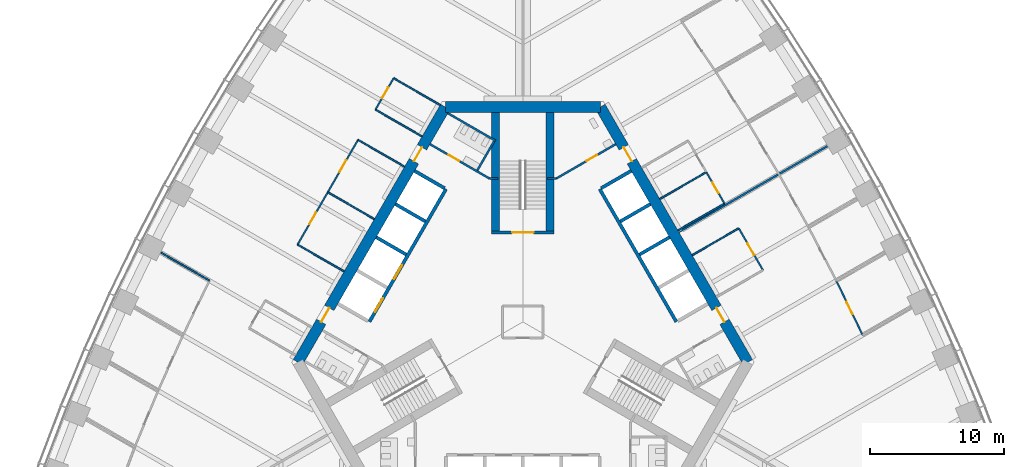
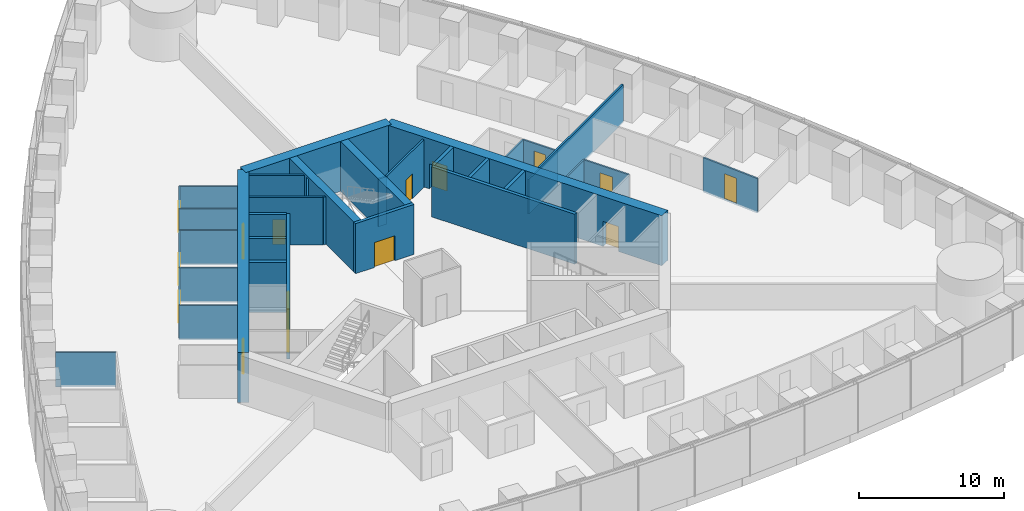
# One storey, part 12 of 19: 36 walls, 15 doors, 15 openings.
"""IFC4 building model written with IfcOpenShell, lengths in metres."""

from ifc_helpers import new_model, si_unit, direction, frame, frame_2d, origin, place, context, subcontext, project, spatial, rectangle, extrude, material, layer, layer_set, type_object, element, fill, save


model = new_model("IFC4")

# Units and contexts
model_context = context("Model", 3, precision=1e-05, world=origin(), true_north=direction((0.0, 1.0)))
body_context = subcontext(model_context, "Body", "Model", "MODEL_VIEW")
ifc_project = project(units=[si_unit("LENGTHUNIT", "METRE"), si_unit("AREAUNIT", "SQUARE_METRE"), si_unit("VOLUMEUNIT", "CUBIC_METRE"), si_unit("PLANEANGLEUNIT", "RADIAN"), si_unit("MASSUNIT", "GRAM", prefix="KILO")], contexts=[model_context])

# Site, building, storey
site_placement = place(None, origin())
site = spatial("IfcSite", under=ifc_project, at=site_placement, CompositionType="ELEMENT")
building_placement = place(site_placement, origin())
building = spatial("IfcBuilding", under=site, at=building_placement, Name="Trefoil Bronze Tower", CompositionType="ELEMENT")
storey_placement = place(building_placement, frame((0.0, 0.0, 45.89990234375)))
storey = spatial("IfcBuildingStorey", under=building, at=storey_placement, Name="L10", CompositionType="ELEMENT", Elevation=45.89990234375)

# Wall, openings, doors
ifc_material_1 = material(Name="Concrete B80", Category="concrete")
ifc_layer_1 = layer(ifc_material_1, 0.800048828125)
ifc_layer_set_1 = layer_set([ifc_layer_1], Name="Core wall 800")
wall_type_1 = type_object("IfcWallType", Name="Core wall 800", PredefinedType="SHEAR", material=ifc_layer_set_1)
wall_1_placement = place(storey_placement, frame((16.7431640625, -3.0, 0.0), z_axis=(0.0, 0.0, 1.0), x_axis=(-0.500002442456, 0.866023993627, 0.0)))
wall_1 = element("IfcWall", 1, at=wall_1_placement, inside=storey, type_object=wall_type_1, Name="Core long wall 2 L10", PredefinedType="SHEAR", context=body_context, shape_type="SweptSolid", body=[
    extrude(rectangle(XDim=21.939453125, YDim=0.800048828125, at=frame_2d((10.9697265625, 0.0))), origin(), (0.0, 0.0, 1.0), 4.2001953125),
])
opening_1_placement = place(wall_1_placement, frame((17.269775390625, 0.0, 0.0)))
opening_1 = element("IfcOpeningElement", 2, at=opening_1_placement, cuts=wall_1, Name="Opening D2", PredefinedType="OPENING", context=body_context, shape_type="SweptSolid", body=[
    extrude(rectangle(XDim=1.199951171875, YDim=2.10009765625, at=frame_2d((0.60009765625, 1.050048828125))), frame((0.0, 0.409912109375, 0.0), z_axis=(0.0, -1.0, 0.0), x_axis=(1.0, 0.0, 0.0)), (0.0, 0.0, 1.0), 0.820068359375),
])
opening_2_placement = place(wall_1_placement, frame((3.4697265625, 0.0, 0.0)))
opening_2 = element("IfcOpeningElement", 3, at=opening_2_placement, cuts=wall_1, Name="Opening D2", PredefinedType="OPENING", context=body_context, shape_type="SweptSolid", body=[
    extrude(rectangle(XDim=1.199951171875, YDim=2.10009765625, at=frame_2d((0.60009765625, 1.050048828125))), frame((0.0, 0.409912109375, 0.0), z_axis=(0.0, -1.0, 0.0), x_axis=(1.0, 0.0, 0.0)), (0.0, 0.0, 1.0), 0.820068359375),
])
ifc_material_2 = material(Name="Steel door", Category="steel")
door_type_1 = type_object("IfcDoorType", Name="Lobby door 1200", OperationType="SINGLE_SWING_RIGHT", PredefinedType="DOOR", material=ifc_material_2)
door_1_placement = place(opening_1_placement, origin())
door_1 = element("IfcDoor", 4, at=door_1_placement, inside=storey, type_object=door_type_1, Name="Lobby door F2+ L10", OperationType="SINGLE_SWING_RIGHT", OverallHeight=2.10009765625, OverallWidth=1.199951171875, PredefinedType="DOOR", context=body_context, shape_type="SweptSolid", body=[
    extrude(rectangle(XDim=1.199951171875, YDim=2.10009765625, at=frame_2d((0.60009765625, 1.050048828125))), frame((0.0, 0.02490234375, 0.0), z_axis=(0.0, -1.0, 0.0), x_axis=(1.0, 0.0, 0.0)), (0.0, 0.0, 1.0), 0.050048828125),
])
fill(opening_1, door_1)
door_2_placement = place(opening_2_placement, origin())
door_2 = element("IfcDoor", 5, at=door_2_placement, inside=storey, type_object=door_type_1, Name="Lobby door F2- L10", OperationType="SINGLE_SWING_LEFT", OverallHeight=2.10009765625, OverallWidth=1.199951171875, PredefinedType="DOOR", context=body_context, shape_type="SweptSolid", body=[
    extrude(rectangle(XDim=1.199951171875, YDim=2.10009765625, at=frame_2d((0.60009765625, 1.050048828125))), frame((0.0, 0.02490234375, 0.0), z_axis=(0.0, -1.0, 0.0), x_axis=(1.0, 0.0, 0.0)), (0.0, 0.0, 1.0), 0.050048828125),
])
fill(opening_2, door_2)

# Wall
wall_2_placement = place(storey_placement, frame((5.7734375, 16.0, 0.0), z_axis=(0.0, 0.0, 1.0), x_axis=(-1.0, 0.0, 0.0)))
element("IfcWall", 6, at=wall_2_placement, inside=storey, type_object=wall_type_1, Name="Core short wall 2 L10", PredefinedType="SHEAR", context=body_context, shape_type="SweptSolid", body=[
    extrude(rectangle(XDim=11.546875, YDim=0.800048828125, at=frame_2d((5.7734375, 0.0))), origin(), (0.0, 0.0, 1.0), 4.2001953125),
])

# Wall, openings, doors
wall_3_placement = place(storey_placement, frame((-5.7734375, 16.0, 0.0), z_axis=(0.0, 0.0, 1.0), x_axis=(-0.500002442456, -0.866023993627, 0.0)))
wall_3 = element("IfcWall", 7, at=wall_3_placement, inside=storey, type_object=wall_type_1, Name="Core long wall 3 L10", PredefinedType="SHEAR", context=body_context, shape_type="SweptSolid", body=[
    extrude(rectangle(XDim=21.939453125, YDim=0.800048828125, at=frame_2d((10.9697265625, 0.0))), origin(), (0.0, 0.0, 1.0), 4.2001953125),
])
opening_3_placement = place(wall_3_placement, frame((17.269775390625, 0.0, 0.0)))
opening_3 = element("IfcOpeningElement", 8, at=opening_3_placement, cuts=wall_3, Name="Opening D2", PredefinedType="OPENING", context=body_context, shape_type="SweptSolid", body=[
    extrude(rectangle(XDim=1.199951171875, YDim=2.10009765625, at=frame_2d((0.60009765625, 1.050048828125))), frame((0.0, 0.409912109375, 0.0), z_axis=(0.0, -1.0, 0.0), x_axis=(1.0, 0.0, 0.0)), (0.0, 0.0, 1.0), 0.820068359375),
])
opening_4_placement = place(wall_3_placement, frame((3.4697265625, 0.0, 0.0)))
opening_4 = element("IfcOpeningElement", 9, at=opening_4_placement, cuts=wall_3, Name="Opening D2", PredefinedType="OPENING", context=body_context, shape_type="SweptSolid", body=[
    extrude(rectangle(XDim=1.199951171875, YDim=2.10009765625, at=frame_2d((0.60009765625, 1.050048828125))), frame((0.0, 0.409912109375, 0.0), z_axis=(0.0, -1.0, 0.0), x_axis=(1.0, 0.0, 0.0)), (0.0, 0.0, 1.0), 0.820068359375),
])
door_3_placement = place(opening_3_placement, origin())
door_3 = element("IfcDoor", 10, at=door_3_placement, inside=storey, type_object=door_type_1, Name="Lobby door F3+ L10", OperationType="SINGLE_SWING_RIGHT", OverallHeight=2.10009765625, OverallWidth=1.199951171875, PredefinedType="DOOR", context=body_context, shape_type="SweptSolid", body=[
    extrude(rectangle(XDim=1.199951171875, YDim=2.10009765625, at=frame_2d((0.60009765625, 1.050048828125))), frame((0.0, 0.02490234375, 0.0), z_axis=(0.0, -1.0, 0.0), x_axis=(1.0, 0.0, 0.0)), (0.0, 0.0, 1.0), 0.050048828125),
])
fill(opening_3, door_3)
door_4_placement = place(opening_4_placement, origin())
door_4 = element("IfcDoor", 11, at=door_4_placement, inside=storey, type_object=door_type_1, Name="Lobby door F3- L10", OperationType="SINGLE_SWING_LEFT", OverallHeight=2.10009765625, OverallWidth=1.199951171875, PredefinedType="DOOR", context=body_context, shape_type="SweptSolid", body=[
    extrude(rectangle(XDim=1.199951171875, YDim=2.10009765625, at=frame_2d((0.60009765625, 1.050048828125))), frame((0.0, 0.02490234375, 0.0), z_axis=(0.0, -1.0, 0.0), x_axis=(1.0, 0.0, 0.0)), (0.0, 0.0, 1.0), 0.050048828125),
])
fill(opening_4, door_4)

# Wall, opening, door
ifc_material_3 = material(Name="Glazed partition", Category="glass")
ifc_layer_2 = layer(ifc_material_3, 0.1201171875)
ifc_layer_set_2 = layer_set([ifc_layer_2], Name="Glazed partition 120")
wall_type_2 = type_object("IfcWallType", Name="Glazed partition 120", PredefinedType="PARTITIONING", material=ifc_layer_set_2)
wall_4_placement = place(storey_placement, frame((15.00634765625, 8.808349609375, 0.0), z_axis=(0.0, 0.0, 1.0), x_axis=(-0.500048589285, 0.86599734893, 0.0)))
wall_4 = element("IfcWall", 12, at=wall_4_placement, inside=storey, type_object=wall_type_2, Name="Partition F2 L10", PredefinedType="PARTITIONING", context=body_context, shape_type="SweptSolid", body=[
    extrude(rectangle(XDim=2.699951171875, YDim=0.1201171875, at=frame_2d((1.35009765625, 0.0))), origin(), (0.0, 0.0, 1.0), 2.900146484375),
])
opening_5_placement = place(wall_4_placement, frame((0.89990234375, 0.0, 0.14990234375)))
opening_5 = element("IfcOpeningElement", 13, at=opening_5_placement, cuts=wall_4, Name="Opening D8", PredefinedType="OPENING", context=body_context, shape_type="SweptSolid", body=[
    extrude(rectangle(XDim=0.89990234375, YDim=2.10009765625, at=frame_2d((0.449951171875, 1.050048828125))), frame((0.0, 0.070068359375, 0.0), z_axis=(0.0, -1.0, 0.0), x_axis=(1.0, 0.0, 0.0)), (0.0, 0.0, 1.0), 0.14013671875),
])
ifc_material_4 = material(Name="Timber door", Category="wood")
door_type_2 = type_object("IfcDoorType", Name="Office door 900", OperationType="SINGLE_SWING_LEFT", PredefinedType="DOOR", material=ifc_material_4)
door_5_placement = place(opening_5_placement, origin())
door_5 = element("IfcDoor", 14, at=door_5_placement, inside=storey, type_object=door_type_2, Name="Pantry door F2 L10", OperationType="SINGLE_SWING_LEFT", OverallHeight=2.10009765625, OverallWidth=0.89990234375, PredefinedType="DOOR", context=body_context, shape_type="SweptSolid", body=[
    extrude(rectangle(XDim=0.89990234375, YDim=2.10009765625, at=frame_2d((0.449951171875, 1.050048828125))), frame((0.0, 0.02490234375, 0.0), z_axis=(0.0, -1.0, 0.0), x_axis=(1.0, 0.0, 0.0)), (0.0, 0.0, 1.0), 0.050048828125),
])
fill(opening_5, door_5)

wall_5_placement = place(storey_placement, frame((17.868896484375, 3.850341796875, 0.0), z_axis=(0.0, 0.0, 1.0), x_axis=(-0.500012057535, 0.866018442252, 0.0)))
wall_5 = element("IfcWall", 15, at=wall_5_placement, inside=storey, type_object=wall_type_2, Name="Partition F2 L10", PredefinedType="PARTITIONING", context=body_context, shape_type="SweptSolid", body=[
    extrude(rectangle(XDim=3.60009765625, YDim=0.1201171875, at=frame_2d((1.800048828125, 0.0))), origin(), (0.0, 0.0, 1.0), 2.900146484375),
])
opening_6_placement = place(wall_5_placement, frame((1.300048828125, 0.0, 0.14990234375)))
opening_6 = element("IfcOpeningElement", 16, at=opening_6_placement, cuts=wall_5, Name="Opening D9", PredefinedType="OPENING", context=body_context, shape_type="SweptSolid", body=[
    extrude(rectangle(XDim=1.0, YDim=2.10009765625, at=frame_2d((0.5, 1.050048828125))), frame((0.0, 0.070068359375, 0.0), z_axis=(0.0, -1.0, 0.0), x_axis=(1.0, 0.0, 0.0)), (0.0, 0.0, 1.0), 0.14013671875),
])
ifc_material_5 = material(Name="Glazed timber door", Category="wood")
door_type_3 = type_object("IfcDoorType", Name="Meeting room door 1000", OperationType="SINGLE_SWING_LEFT", PredefinedType="DOOR", material=ifc_material_5)
door_6_placement = place(opening_6_placement, origin())
door_6 = element("IfcDoor", 17, at=door_6_placement, inside=storey, type_object=door_type_3, Name="Meeting room door F2 L10", OperationType="SINGLE_SWING_RIGHT", OverallHeight=2.10009765625, OverallWidth=1.0, PredefinedType="DOOR", context=body_context, shape_type="SweptSolid", body=[
    extrude(rectangle(XDim=1.0, YDim=2.10009765625, at=frame_2d((0.5, 1.050048828125))), frame((0.0, 0.02490234375, 0.0), z_axis=(0.0, -1.0, 0.0), x_axis=(1.0, 0.0, 0.0)), (0.0, 0.0, 1.0), 0.050048828125),
])
fill(opening_6, door_6)

# Walls
for number, where, z_axis, x_axis, name in (
    (18, (11.542236328125, 6.808349609375, 0.0), (0.0, 0.0, 1.0), (0.866026010844, 0.49999894854, 0.0), "Partition F2 L10"),
    (19, (10.192138671875, 9.146484375, 0.0), (0.0, 0.0, 1.0), (0.866026010844, 0.49999894854, 0.0), "Partition F2 L10"),
    (20, (12.604736328125, 4.968017578125, 0.0), (0.0, 0.0, 1.0), (0.866026010844, 0.49999894854, 0.0), "Partition F2 L10"),
):
    element("IfcWall", number, at=place(storey_placement, frame(where, z_axis=z_axis, x_axis=x_axis)), inside=storey, type_object=wall_type_2, Name=name, PredefinedType="PARTITIONING", context=body_context, shape_type="SweptSolid", body=[
        extrude(rectangle(XDim=4.0, YDim=0.1201171875, at=frame_2d((2.0, 0.0))), origin(), (0.0, 0.0, 1.0), 2.900146484375),
    ])

# Wall, opening, door
wall_6_placement = place(storey_placement, frame((25.291748046875, -0.986328125, 0.0), z_axis=(0.0, 0.0, 1.0), x_axis=(-0.435857917556, 0.900015486369, 0.0)))
wall_6 = element("IfcWall", 21, at=wall_6_placement, inside=storey, type_object=wall_type_2, Name="Partition F2 L10", PredefinedType="PARTITIONING", context=body_context, shape_type="SweptSolid", body=[
    extrude(rectangle(XDim=4.511962890625, YDim=0.1201171875, at=frame_2d((2.255859375, 0.0))), origin(), (0.0, 0.0, 1.0), 2.900146484375),
])
opening_7_placement = place(wall_6_placement, frame((1.75, 0.0, 0.14990234375)))
opening_7 = element("IfcOpeningElement", 22, at=opening_7_placement, cuts=wall_6, Name="Opening D9", PredefinedType="OPENING", context=body_context, shape_type="SweptSolid", body=[
    extrude(rectangle(XDim=1.0, YDim=2.10009765625, at=frame_2d((0.5, 1.050048828125))), frame((0.0, 0.070068359375, 0.0), z_axis=(0.0, -1.0, 0.0), x_axis=(1.0, 0.0, 0.0)), (0.0, 0.0, 1.0), 0.14013671875),
])
door_7_placement = place(opening_7_placement, frame((1.0, 0.0, 0.0), z_axis=(0.0, 0.0, 1.0), x_axis=(-1.0, 0.0, 0.0)))
door_7 = element("IfcDoor", 23, at=door_7_placement, inside=storey, type_object=door_type_3, Name="Meeting room door F2 L10", OperationType="SINGLE_SWING_RIGHT", OverallHeight=2.10009765625, OverallWidth=1.0, PredefinedType="DOOR", context=body_context, shape_type="SweptSolid", body=[
    extrude(rectangle(XDim=1.0, YDim=2.10009765625, at=frame_2d((0.5, 1.050048828125))), frame((0.0, 0.02490234375, 0.0), z_axis=(0.0, -1.0, 0.0), x_axis=(1.0, 0.0, 0.0)), (0.0, 0.0, 1.0), 0.050048828125),
])
fill(opening_7, door_7)

wall_7_placement = place(storey_placement, frame((-14.518798828125, 9.652587890625, 0.0), z_axis=(0.0, 0.0, 1.0), x_axis=(-0.500013631625, -0.866017533419, 0.0)))
wall_7 = element("IfcWall", 24, at=wall_7_placement, inside=storey, type_object=wall_type_2, Name="Partition F3 L10", PredefinedType="PARTITIONING", context=body_context, shape_type="SweptSolid", body=[
    extrude(rectangle(XDim=4.499755859375, YDim=0.1201171875, at=frame_2d((2.25, 0.0))), origin(), (0.0, 0.0, 1.0), 2.900146484375),
])
opening_8_placement = place(wall_7_placement, frame((1.75, 0.0, 0.14990234375)))
opening_8 = element("IfcOpeningElement", 25, at=opening_8_placement, cuts=wall_7, Name="Opening D9", PredefinedType="OPENING", context=body_context, shape_type="SweptSolid", body=[
    extrude(rectangle(XDim=1.0, YDim=2.10009765625, at=frame_2d((0.5, 1.050048828125))), frame((0.0, 0.070068359375, 0.0), z_axis=(0.0, -1.0, 0.0), x_axis=(1.0, 0.0, 0.0)), (0.0, 0.0, 1.0), 0.14013671875),
])
door_8_placement = place(opening_8_placement, origin())
door_8 = element("IfcDoor", 26, at=door_8_placement, inside=storey, type_object=door_type_3, Name="Project room door F3 L10", OperationType="SINGLE_SWING_RIGHT", OverallHeight=2.10009765625, OverallWidth=1.0, PredefinedType="DOOR", context=body_context, shape_type="SweptSolid", body=[
    extrude(rectangle(XDim=1.0, YDim=2.10009765625, at=frame_2d((0.5, 1.050048828125))), frame((0.0, 0.02490234375, 0.0), z_axis=(0.0, -1.0, 0.0), x_axis=(1.0, 0.0, 0.0)), (0.0, 0.0, 1.0), 0.050048828125),
])
fill(opening_8, door_8)

wall_8_placement = place(storey_placement, frame((-9.618896484375, 18.1396484375, 0.0), z_axis=(0.0, 0.0, 1.0), x_axis=(-0.499980770555, -0.866036505625, 0.0)))
wall_8 = element("IfcWall", 27, at=wall_8_placement, inside=storey, type_object=wall_type_2, Name="Partition F3 L10", PredefinedType="PARTITIONING", context=body_context, shape_type="SweptSolid", body=[
    extrude(rectangle(XDim=2.69970703125, YDim=0.1201171875, at=frame_2d((1.349853515625, 0.0))), origin(), (0.0, 0.0, 1.0), 2.900146484375),
])
opening_9_placement = place(wall_8_placement, frame((0.800048828125, 0.0, 0.14990234375)))
opening_9 = element("IfcOpeningElement", 28, at=opening_9_placement, cuts=wall_8, Name="Opening D8", PredefinedType="OPENING", context=body_context, shape_type="SweptSolid", body=[
    extrude(rectangle(XDim=0.89990234375, YDim=2.10009765625, at=frame_2d((0.449951171875, 1.050048828125))), frame((0.0, 0.070068359375, 0.0), z_axis=(0.0, -1.0, 0.0), x_axis=(1.0, 0.0, 0.0)), (0.0, 0.0, 1.0), 0.14013671875),
])
door_9_placement = place(opening_9_placement, origin())
door_9 = element("IfcDoor", 29, at=door_9_placement, inside=storey, type_object=door_type_2, Name="Pantry door F3 L10", OperationType="SINGLE_SWING_LEFT", OverallHeight=2.10009765625, OverallWidth=0.89990234375, PredefinedType="DOOR", context=body_context, shape_type="SweptSolid", body=[
    extrude(rectangle(XDim=0.89990234375, YDim=2.10009765625, at=frame_2d((0.449951171875, 1.050048828125))), frame((0.0, 0.02490234375, 0.0), z_axis=(0.0, -1.0, 0.0), x_axis=(1.0, 0.0, 0.0)), (0.0, 0.0, 1.0), 0.050048828125),
])
fill(opening_9, door_9)

wall_9_placement = place(storey_placement, frame((-12.268798828125, 13.5498046875, 0.0), z_axis=(0.0, 0.0, 1.0), x_axis=(-0.499990139034, -0.866031096941, 0.0)))
wall_9 = element("IfcWall", 30, at=wall_9_placement, inside=storey, type_object=wall_type_2, Name="Partition F3 L10", PredefinedType="PARTITIONING", context=body_context, shape_type="SweptSolid", body=[
    extrude(rectangle(XDim=4.5, YDim=0.1201171875, at=frame_2d((2.25, 0.0))), origin(), (0.0, 0.0, 1.0), 2.900146484375),
])
opening_10_placement = place(wall_9_placement, frame((1.75, 0.0, 0.14990234375)))
opening_10 = element("IfcOpeningElement", 31, at=opening_10_placement, cuts=wall_9, Name="Opening D9", PredefinedType="OPENING", context=body_context, shape_type="SweptSolid", body=[
    extrude(rectangle(XDim=1.0, YDim=2.10009765625, at=frame_2d((0.5, 1.050048828125))), frame((0.0, 0.070068359375, 0.0), z_axis=(0.0, -1.0, 0.0), x_axis=(1.0, 0.0, 0.0)), (0.0, 0.0, 1.0), 0.14013671875),
])
door_10_placement = place(opening_10_placement, origin())
door_10 = element("IfcDoor", 32, at=door_10_placement, inside=storey, type_object=door_type_3, Name="Project room door F3 L10", OperationType="SINGLE_SWING_RIGHT", OverallHeight=2.10009765625, OverallWidth=1.0, PredefinedType="DOOR", context=body_context, shape_type="SweptSolid", body=[
    extrude(rectangle(XDim=1.0, YDim=2.10009765625, at=frame_2d((0.5, 1.050048828125))), frame((0.0, 0.02490234375, 0.0), z_axis=(0.0, -1.0, 0.0), x_axis=(1.0, 0.0, 0.0)), (0.0, 0.0, 1.0), 0.050048828125),
])
fill(opening_10, door_10)

# Walls
for number, where, z_axis, x_axis, name in (
    (33, (-13.3046875, 3.755615234375, 0.0), (0.0, 0.0, 1.0), (-0.866026010844, 0.49999894854, 0.0), "Partition F3 L10"),
    (34, (-11.0546875, 7.652587890625, 0.0), (0.0, 0.0, 1.0), (-0.866026010844, 0.49999894854, 0.0), "Partition F3 L10"),
    (35, (-6.15478515625, 16.1396484375, 0.0), (0.0, 0.0, 1.0), (-0.866026010844, 0.49999894854, 0.0), "Partition F3 L10"),
    (36, (-8.8046875, 11.5498046875, 0.0), (0.0, 0.0, 1.0), (-0.866026010844, 0.49999894854, 0.0), "Partition F3 L10"),
    (37, (-7.504638671875, 13.801513671875, 0.0), (0.0, 0.0, 1.0), (-0.866026010844, 0.49999894854, 0.0), "Partition F3 L10"),
):
    element("IfcWall", number, at=place(storey_placement, frame(where, z_axis=z_axis, x_axis=x_axis)), inside=storey, type_object=wall_type_2, Name=name, PredefinedType="PARTITIONING", context=body_context, shape_type="SweptSolid", body=[
        extrude(rectangle(XDim=4.0, YDim=0.1201171875, at=frame_2d((2.0, 0.0))), origin(), (0.0, 0.0, 1.0), 2.900146484375),
    ])
wall_10_placement = place(storey_placement, frame((-23.3251953125, 3.074462890625, 0.0), z_axis=(0.0, 0.0, 1.0), x_axis=(-0.866009971343, 0.50002672882, 0.0)))
element("IfcWall", 38, at=wall_10_placement, inside=storey, type_object=wall_type_2, Name="Partition F3 L10", PredefinedType="PARTITIONING", context=body_context, shape_type="SweptSolid", body=[
    extrude(rectangle(XDim=4.167236328125, YDim=0.1201171875, at=frame_2d((2.08349609375, 0.0))), origin(), (0.0, 0.0, 1.0), 2.900146484375),
])

# Wall, opening, door
ifc_material_6 = material(Name="Gypsum board on steel studs", Category="steel")
ifc_layer_3 = layer(ifc_material_6, 0.14990234375)
ifc_layer_set_3 = layer_set([ifc_layer_3], Name="Partition 150")
wall_type_3 = type_object("IfcWallType", Name="Partition 150", PredefinedType="PARTITIONING", material=ifc_layer_set_3)
wall_11_placement = place(storey_placement, frame((2.4951171875, 10.67822265625, 0.0), z_axis=(0.0, 0.0, 1.0), x_axis=(0.86602216432, 0.500005610874, 0.0)))
wall_11 = element("IfcWall", 39, at=wall_11_placement, inside=storey, type_object=wall_type_3, Name="Passage wall F2+ L10", PredefinedType="PARTITIONING", context=body_context, shape_type="SweptSolid", body=[
    extrude(rectangle(XDim=5.10009765625, YDim=0.14990234375, at=frame_2d((2.550048828125, 0.0))), origin(), (0.0, 0.0, 1.0), 4.0),
])
opening_11_placement = place(wall_11_placement, frame((2.60009765625, 0.0, 0.0)))
opening_11 = element("IfcOpeningElement", 40, at=opening_11_placement, cuts=wall_11, Name="Opening D3", PredefinedType="OPENING", context=body_context, shape_type="SweptSolid", body=[
    extrude(rectangle(XDim=0.89990234375, YDim=2.10009765625, at=frame_2d((0.449951171875, 1.050048828125))), frame((0.0, 0.0849609375, 0.0), z_axis=(0.0, -1.0, 0.0), x_axis=(1.0, 0.0, 0.0)), (0.0, 0.0, 1.0), 0.169921875),
])
ifc_material_7 = material(Name="Timber door", Category="wood")
door_type_4 = type_object("IfcDoorType", Name="WC door 900", OperationType="SINGLE_SWING_LEFT", PredefinedType="DOOR", material=ifc_material_7)
door_11_placement = place(opening_11_placement, origin())
door_11 = element("IfcDoor", 41, at=door_11_placement, inside=storey, type_object=door_type_4, Name="Accessible WC door L10", OperationType="SINGLE_SWING_RIGHT", OverallHeight=2.10009765625, OverallWidth=0.89990234375, PredefinedType="DOOR", context=body_context, shape_type="SweptSolid", body=[
    extrude(rectangle(XDim=0.89990234375, YDim=2.10009765625, at=frame_2d((0.449951171875, 1.050048828125))), frame((0.0, 0.02490234375, 0.0), z_axis=(0.0, -1.0, 0.0), x_axis=(1.0, 0.0, 0.0)), (0.0, 0.0, 1.0), 0.050048828125),
])
fill(opening_11, door_11)

wall_12_placement = place(storey_placement, frame((-2.4951171875, 10.67822265625, 0.0), z_axis=(0.0, 0.0, 1.0), x_axis=(-0.86602216432, 0.500005610874, 0.0)))
wall_12 = element("IfcWall", 42, at=wall_12_placement, inside=storey, type_object=wall_type_3, Name="Passage wall F3- L10", PredefinedType="PARTITIONING", context=body_context, shape_type="SweptSolid", body=[
    extrude(rectangle(XDim=5.10009765625, YDim=0.14990234375, at=frame_2d((2.550048828125, 0.0))), origin(), (0.0, 0.0, 1.0), 4.0),
])
opening_12_placement = place(wall_12_placement, frame((2.60009765625, 0.0, 0.0)))
opening_12 = element("IfcOpeningElement", 43, at=opening_12_placement, cuts=wall_12, Name="Opening D3", PredefinedType="OPENING", context=body_context, shape_type="SweptSolid", body=[
    extrude(rectangle(XDim=0.89990234375, YDim=2.10009765625, at=frame_2d((0.449951171875, 1.050048828125))), frame((0.0, 0.0849609375, 0.0), z_axis=(0.0, -1.0, 0.0), x_axis=(1.0, 0.0, 0.0)), (0.0, 0.0, 1.0), 0.169921875),
])
door_12_placement = place(opening_12_placement, frame((0.89990234375, 0.0, 0.0), z_axis=(0.0, 0.0, 1.0), x_axis=(-1.0, 0.0, 0.0)))
door_12 = element("IfcDoor", 44, at=door_12_placement, inside=storey, type_object=door_type_4, Name="WC (women) door L10", OperationType="SINGLE_SWING_RIGHT", OverallHeight=2.10009765625, OverallWidth=0.89990234375, PredefinedType="DOOR", context=body_context, shape_type="SweptSolid", body=[
    extrude(rectangle(XDim=0.89990234375, YDim=2.10009765625, at=frame_2d((0.449951171875, 1.050048828125))), frame((0.0, 0.02490234375, 0.0), z_axis=(0.0, -1.0, 0.0), x_axis=(1.0, 0.0, 0.0)), (0.0, 0.0, 1.0), 0.050048828125),
])
fill(opening_12, door_12)

# Walls
for number, where, z_axis, x_axis, name in (
    (45, (2.4951171875, 10.67822265625, 0.0), (0.0, 0.0, 1.0), (-1.0, 0.0, 0.0), "WC wall ST2-1 L10"),
    (46, (-2.4951171875, 10.67822265625, 0.0), (0.0, 0.0, 1.0), (1.0, 0.0, 0.0), "WC wall ST2+1 L10"),
):
    element("IfcWall", number, at=place(storey_placement, frame(where, z_axis=z_axis, x_axis=x_axis)), inside=storey, type_object=wall_type_3, Name=name, PredefinedType="PARTITIONING", context=body_context, shape_type="SweptSolid", body=[
        extrude(rectangle(XDim=0.64501953125, YDim=0.14990234375, at=frame_2d((0.322509765625, 0.0))), origin(), (0.0, 0.0, 1.0), 4.0),
    ])
wall_13_placement = place(storey_placement, frame((-2.03125, 13.48193359375, 0.0), z_axis=(0.0, 0.0, 1.0), x_axis=(-0.866050731258, 0.499956128963, 0.0)))
element("IfcWall", 47, at=wall_13_placement, inside=storey, type_object=wall_type_3, Name="WC partition WC (women) L10", PredefinedType="PARTITIONING", context=body_context, shape_type="SweptSolid", body=[
    extrude(rectangle(XDim=4.099853515625, YDim=0.14990234375, at=frame_2d((2.0498046875, 0.0))), origin(), (0.0, 0.0, 1.0), 4.0),
])
wall_14_placement = place(storey_placement, frame((-3.388671875, 11.28076171875, 0.0), z_axis=(0.0, 0.0, 1.0), x_axis=(0.499989096993, 0.866031698547, 0.0)))
element("IfcWall", 48, at=wall_14_placement, inside=storey, type_object=wall_type_3, Name="WC partition WC (women) L10", PredefinedType="PARTITIONING", context=body_context, shape_type="SweptSolid", body=[
    extrude(rectangle(XDim=2.509765625, YDim=0.14990234375, at=frame_2d((1.2548828125, 0.0))), origin(), (0.0, 0.0, 1.0), 4.0),
])
ifc_material_8 = material(Name="Gypsum board on steel studs", Category="steel")
ifc_layer_4 = layer(ifc_material_8, 0.14990234375)
ifc_layer_set_4 = layer_set([ifc_layer_4], Name="Party wall 150")
wall_type_4 = type_object("IfcWallType", Name="Party wall 150", PredefinedType="PARTITIONING", material=ifc_layer_set_4)
wall_15_placement = place(storey_placement, frame((11.61328125, 6.705078125, 0.0), z_axis=(0.0, 0.0, 1.0), x_axis=(0.86602785495, 0.499995754432, 0.0)))
element("IfcWall", 49, at=wall_15_placement, inside=storey, type_object=wall_type_4, Name="Demising wall F2 L10", PredefinedType="PARTITIONING", context=body_context, shape_type="SweptSolid", body=[
    extrude(rectangle(XDim=12.7587890625, YDim=0.14990234375, at=frame_2d((6.37939453125, 0.0))), origin(), (0.0, 0.0, 1.0), 3.2001953125),
])
ifc_material_9 = material(Name="Concrete B80", Category="concrete")
ifc_layer_5 = layer(ifc_material_9, 0.25)
ifc_layer_set_5 = layer_set([ifc_layer_5], Name="Shaft wall 250")
wall_type_5 = type_object("IfcWallType", Name="Shaft wall 250", PredefinedType="SHEAR", material=ifc_layer_set_5)
wall_16_placement = place(storey_placement, frame((11.423583984375, 0.013671875, 0.0), z_axis=(0.0, 0.0, 1.0), x_axis=(-0.500001763848, 0.866024385424, 0.0)))
element("IfcWall", 50, at=wall_16_placement, inside=storey, type_object=wall_type_5, Name="Lift shaft front wall B L10", PredefinedType="SHEAR", context=body_context, shape_type="SweptSolid", body=[
    extrude(rectangle(XDim=11.39990234375, YDim=0.25, at=frame_2d((5.699951171875, 0.0))), origin(), (0.0, 0.0, 1.0), 4.2001953125),
])
for number, where, z_axis, x_axis, name in (
    (51, (8.681884765625, 5.012451171875, 0.0), (0.0, 0.0, 1.0), (0.866005588531, 0.500034319456, 0.0), "Lift shaft side wall B2 L10"),
    (52, (7.2568359375, 7.480712890625, 0.0), (0.0, 0.0, 1.0), (0.866046643894, 0.499963209246, 0.0), "Lift shaft side wall B3 L10"),
):
    element("IfcWall", number, at=place(storey_placement, frame(where, z_axis=z_axis, x_axis=x_axis)), inside=storey, type_object=wall_type_5, Name=name, PredefinedType="SHEAR", context=body_context, shape_type="SweptSolid", body=[
        extrude(rectangle(XDim=2.574951171875, YDim=0.25, at=frame_2d((1.28759765625, 0.0))), origin(), (0.0, 0.0, 1.0), 4.2001953125),
    ])
wall_17_placement = place(storey_placement, frame((5.831787109375, 9.94873046875, 0.0), z_axis=(0.0, 0.0, 1.0), x_axis=(0.866029291668, 0.499993265928, 0.0)))
element("IfcWall", 53, at=wall_17_placement, inside=storey, type_object=wall_type_5, Name="Lift shaft side wall B4 L10", PredefinedType="SHEAR", context=body_context, shape_type="SweptSolid", body=[
    extrude(rectangle(XDim=2.5751953125, YDim=0.25, at=frame_2d((1.28759765625, 0.0))), origin(), (0.0, 0.0, 1.0), 4.2001953125),
])

# Wall, openings, doors
wall_18_placement = place(storey_placement, frame((-5.7236328125, 9.88623046875, 0.0), z_axis=(0.0, 0.0, 1.0), x_axis=(-0.500001763848, -0.866024385424, 0.0)))
wall_18 = element("IfcWall", 54, at=wall_18_placement, inside=storey, type_object=wall_type_5, Name="Lift shaft front wall C L10", PredefinedType="SHEAR", context=body_context, shape_type="SweptSolid", body=[
    extrude(rectangle(XDim=11.39990234375, YDim=0.25, at=frame_2d((5.699951171875, 0.0))), origin(), (0.0, 0.0, 1.0), 4.2001953125),
])
opening_13_placement = place(wall_18_placement, frame((6.52490234375, 0.0, 0.0)))
opening_13 = element("IfcOpeningElement", 55, at=opening_13_placement, cuts=wall_18, Name="Opening LD-FL1", PredefinedType="OPENING", context=body_context, shape_type="SweptSolid", body=[
    extrude(rectangle(XDim=1.199951171875, YDim=2.199951171875, at=frame_2d((0.60009765625, 1.10009765625))), frame((0.0, 0.135009765625, 0.0), z_axis=(0.0, -1.0, 0.0), x_axis=(1.0, 0.0, 0.0)), (0.0, 0.0, 1.0), 0.27001953125),
])
opening_14_placement = place(wall_18_placement, frame((9.375, 0.0, 0.0)))
opening_14 = element("IfcOpeningElement", 56, at=opening_14_placement, cuts=wall_18, Name="Opening LD-FL2", PredefinedType="OPENING", context=body_context, shape_type="SweptSolid", body=[
    extrude(rectangle(XDim=1.199951171875, YDim=2.199951171875, at=frame_2d((0.60009765625, 1.10009765625))), frame((0.0, 0.135009765625, 0.0), z_axis=(0.0, -1.0, 0.0), x_axis=(1.0, 0.0, 0.0)), (0.0, 0.0, 1.0), 0.27001953125),
])
ifc_material_10 = material(Name="Steel door", Category="steel")
door_type_5 = type_object("IfcDoorType", Name="Lift landing door 1200", OperationType="DOUBLE_DOOR_SLIDING", PredefinedType="DOOR", material=ifc_material_10)
door_13_placement = place(opening_13_placement, origin())
door_13 = element("IfcDoor", 57, at=door_13_placement, inside=storey, type_object=door_type_5, Name="Lift FL1 landing door L10", OperationType="DOUBLE_DOOR_SLIDING", OverallHeight=2.199951171875, OverallWidth=1.199951171875, PredefinedType="DOOR", context=body_context, shape_type="SweptSolid", body=[
    extrude(rectangle(XDim=1.199951171875, YDim=2.199951171875, at=frame_2d((0.60009765625, 1.10009765625))), frame((0.0, 0.02490234375, 0.0), z_axis=(0.0, -1.0, 0.0), x_axis=(1.0, 0.0, 0.0)), (0.0, 0.0, 1.0), 0.050048828125),
])
fill(opening_13, door_13)
door_14_placement = place(opening_14_placement, origin())
door_14 = element("IfcDoor", 58, at=door_14_placement, inside=storey, type_object=door_type_5, Name="Lift FL2 landing door L10", OperationType="DOUBLE_DOOR_SLIDING", OverallHeight=2.199951171875, OverallWidth=1.199951171875, PredefinedType="DOOR", context=body_context, shape_type="SweptSolid", body=[
    extrude(rectangle(XDim=1.199951171875, YDim=2.199951171875, at=frame_2d((0.60009765625, 1.10009765625))), frame((0.0, 0.02490234375, 0.0), z_axis=(0.0, -1.0, 0.0), x_axis=(1.0, 0.0, 0.0)), (0.0, 0.0, 1.0), 0.050048828125),
])
fill(opening_14, door_14)

# Walls
wall_19_placement = place(storey_placement, frame((-5.831787109375, 9.94873046875, 0.0), z_axis=(0.0, 0.0, 1.0), x_axis=(-0.866029291668, 0.499993265928, 0.0)))
element("IfcWall", 59, at=wall_19_placement, inside=storey, type_object=wall_type_5, Name="Lift shaft side wall C0 L10", PredefinedType="SHEAR", context=body_context, shape_type="SweptSolid", body=[
    extrude(rectangle(XDim=2.5751953125, YDim=0.25, at=frame_2d((1.28759765625, 0.0))), origin(), (0.0, 0.0, 1.0), 4.2001953125),
])
for number, where, z_axis, x_axis, name in (
    (60, (-7.2568359375, 7.480712890625, 0.0), (0.0, 0.0, 1.0), (-0.866046643894, 0.499963209246, 0.0), "Lift shaft side wall C1 L10"),
    (61, (-8.681884765625, 5.012451171875, 0.0), (0.0, 0.0, 1.0), (-0.866005588531, 0.500034319456, 0.0), "Lift shaft side wall C2 L10"),
):
    element("IfcWall", number, at=place(storey_placement, frame(where, z_axis=z_axis, x_axis=x_axis)), inside=storey, type_object=wall_type_5, Name=name, PredefinedType="SHEAR", context=body_context, shape_type="SweptSolid", body=[
        extrude(rectangle(XDim=2.574951171875, YDim=0.25, at=frame_2d((1.28759765625, 0.0))), origin(), (0.0, 0.0, 1.0), 4.2001953125),
    ])

# Wall, opening, door
wall_20_placement = place(storey_placement, frame((2.324951171875, 6.64990234375, 0.0), z_axis=(0.0, 0.0, 1.0), x_axis=(-1.0, 0.0, 0.0)))
wall_20 = element("IfcWall", 62, at=wall_20_placement, inside=storey, type_object=wall_type_5, Name="Stair end wall ST2 L10", PredefinedType="SHEAR", context=body_context, shape_type="SweptSolid", body=[
    extrude(rectangle(XDim=4.64990234375, YDim=0.25, at=frame_2d((2.324951171875, 0.0))), origin(), (0.0, 0.0, 1.0), 4.2001953125),
])
opening_15_placement = place(wall_20_placement, frame((1.52490234375, 0.0, 0.0)))
opening_15 = element("IfcOpeningElement", 63, at=opening_15_placement, cuts=wall_20, Name="Opening D1", PredefinedType="OPENING", context=body_context, shape_type="SweptSolid", body=[
    extrude(rectangle(XDim=1.60009765625, YDim=2.10009765625, at=frame_2d((0.800048828125, 1.050048828125))), frame((0.0, 0.135009765625, 0.0), z_axis=(0.0, -1.0, 0.0), x_axis=(1.0, 0.0, 0.0)), (0.0, 0.0, 1.0), 0.27001953125),
])
ifc_material_11 = material(Name="Steel door", Category="steel")
door_type_6 = type_object("IfcDoorType", Name="Stair door 1600", OperationType="DOUBLE_DOOR_SINGLE_SWING", PredefinedType="DOOR", material=ifc_material_11)
door_15_placement = place(opening_15_placement, frame((1.60009765625, 0.0, 0.0), z_axis=(0.0, 0.0, 1.0), x_axis=(-1.0, 0.0, 0.0)))
door_15 = element("IfcDoor", 64, at=door_15_placement, inside=storey, type_object=door_type_6, Name="Stair door ST2 L10", OperationType="DOUBLE_DOOR_SINGLE_SWING", OverallHeight=2.10009765625, OverallWidth=1.60009765625, PredefinedType="DOOR", context=body_context, shape_type="SweptSolid", body=[
    extrude(rectangle(XDim=1.60009765625, YDim=2.10009765625, at=frame_2d((0.800048828125, 1.050048828125))), frame((0.0, 0.02490234375, 0.0), z_axis=(0.0, -1.0, 0.0), x_axis=(1.0, 0.0, 0.0)), (0.0, 0.0, 1.0), 0.050048828125),
])
fill(opening_15, door_15)

# Walls
ifc_material_12 = material(Name="Concrete B80", Category="concrete")
ifc_layer_6 = layer(ifc_material_12, 0.60009765625)
ifc_layer_set_6 = layer_set([ifc_layer_6], Name="Stair wall 600")
wall_type_6 = type_object("IfcWallType", Name="Stair wall 600", PredefinedType="SHEAR", material=ifc_layer_set_6)
for number, where, z_axis, x_axis, name in (
    (65, (2.02490234375, 6.52490234375, 0.0), (0.0, 0.0, 1.0), (0.0, 1.0, 0.0), "Stair wall ST2 L10"),
    (66, (-2.02490234375, 6.52490234375, 0.0), (0.0, 0.0, 1.0), (0.0, 1.0, 0.0), "Stair wall ST2 L10"),
):
    element("IfcWall", number, at=place(storey_placement, frame(where, z_axis=z_axis, x_axis=x_axis)), inside=storey, type_object=wall_type_6, Name=name, PredefinedType="SHEAR", context=body_context, shape_type="SweptSolid", body=[
        extrude(rectangle(XDim=9.0751953125, YDim=0.60009765625, at=frame_2d((4.53759765625, 0.0))), origin(), (0.0, 0.0, 1.0), 4.2001953125),
    ])

save(model, "model.ifc")
